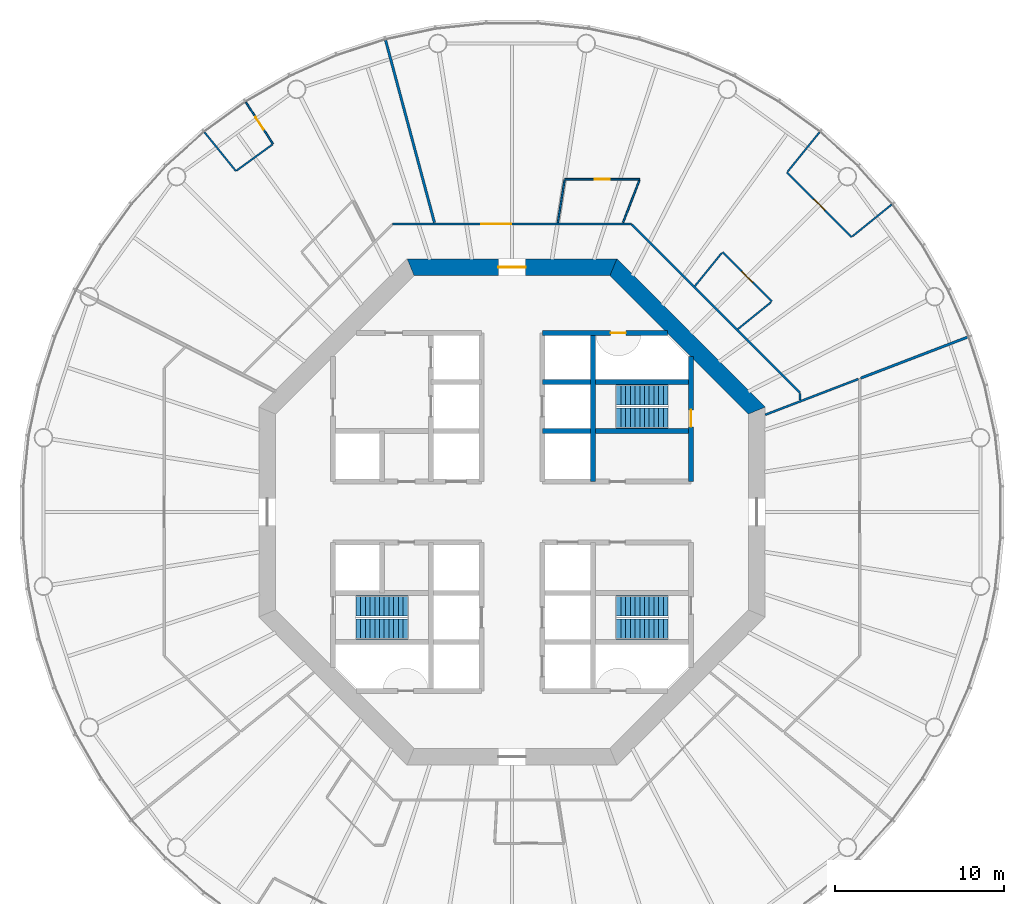
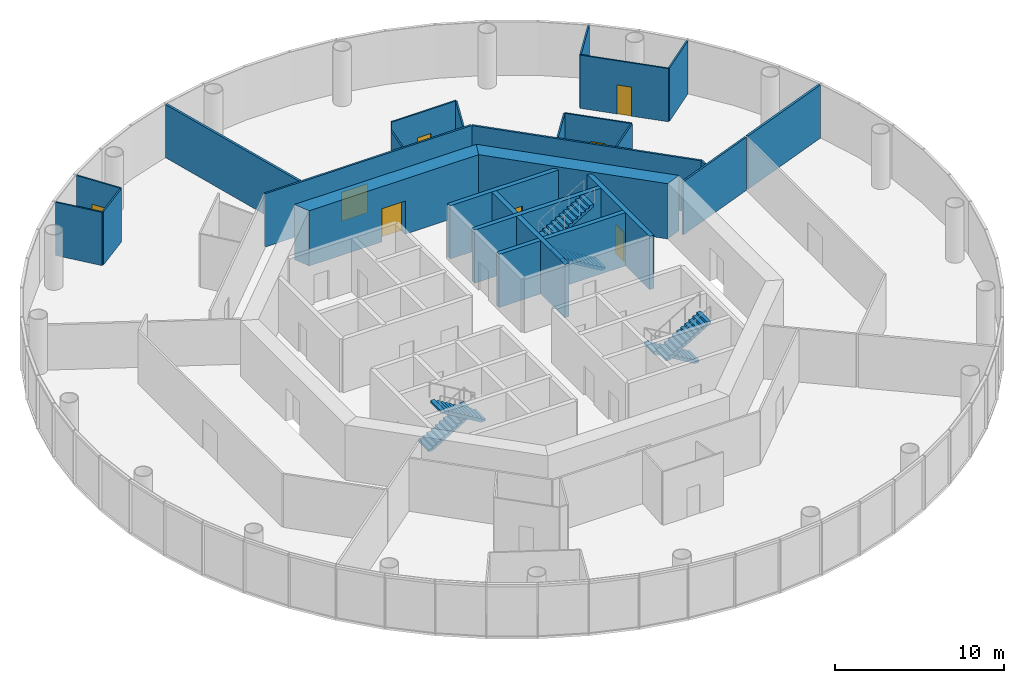
# One storey, part 5 of 12: 25 walls, 8 doors, 6 stair flights, 8 openings, 3 elements without a shape of their own.
"""IFC4 building model written with IfcOpenShell, lengths in metres."""

from ifc_helpers import new_model, si_unit, direction, frame, frame_2d, origin, place, context, subcontext, project, spatial, polyline, rectangle, outline, extrude, material, layer, layer_set, type_object, element, fill, aggregate, save


model = new_model("IFC4")

# Units and contexts
model_context = context("Model", 3, precision=1e-05, world=origin(), true_north=direction((0.0, 1.0)))
body_context = subcontext(model_context, "Body", "Model", "MODEL_VIEW")
ifc_project = project(units=[si_unit("LENGTHUNIT", "METRE"), si_unit("AREAUNIT", "SQUARE_METRE"), si_unit("VOLUMEUNIT", "CUBIC_METRE"), si_unit("PLANEANGLEUNIT", "RADIAN"), si_unit("MASSUNIT", "GRAM", prefix="KILO")], contexts=[model_context])

# Site, building, storey
site_placement = place(None, origin())
site = spatial("IfcSite", under=ifc_project, at=site_placement, CompositionType="ELEMENT")
building_placement = place(site_placement, origin())
building = spatial("IfcBuilding", under=site, at=building_placement, Name="Entoto Ring Tower", CompositionType="ELEMENT")
storey_placement = place(building_placement, frame((0.0, 0.0, 192.0)))
storey = spatial("IfcBuildingStorey", under=building, at=storey_placement, Name="L44", CompositionType="ELEMENT", Elevation=192.0)

# Wall, opening, door
ifc_material_1 = material(Name="Concrete C40/50", Category="concrete")
ifc_layer_1 = layer(ifc_material_1, 0.300048828125)
ifc_layer_set_1 = layer_set([ifc_layer_1], Name="Concrete C40/50")
wall_type_1 = type_object("IfcWallType", Name="Core enclosure wall 300 mm reinforced concrete", PredefinedType="SOLIDWALL", material=ifc_layer_set_1)
wall_1_placement = place(storey_placement, frame((100.60009765625, 81.800048828125, 0.0), z_axis=(0.0, 0.0, 1.0), x_axis=(0.0, 1.0, 0.0)))
wall_1 = element("IfcWall", 1, at=wall_1_placement, inside=storey, type_object=wall_type_1, Name="wall-L44-002", PredefinedType="SOLIDWALL", context=body_context, shape_type="SweptSolid", body=[
    extrude(rectangle(XDim=7.39892578125, YDim=0.300048828125, at=frame_2d((3.699462890625, 0.0))), origin(), (0.0, 0.0, 1.0), 3.85009765625),
])
opening_1_placement = place(wall_1_placement, frame((3.25, 0.0, 0.0)))
opening_1 = element("IfcOpeningElement", 2, at=opening_1_placement, cuts=wall_1, Name="Opening K-52", PredefinedType="OPENING", context=body_context, shape_type="SweptSolid", body=[
    extrude(rectangle(XDim=1.0, YDim=2.10009765625, at=frame_2d((0.5, 1.050048828125))), frame((0.0, 0.16015625, 0.0), z_axis=(0.0, -1.0, 0.0), x_axis=(1.0, 0.0, 0.0)), (0.0, 0.0, 1.0), 0.320068359375),
])
ifc_material_2 = material(Name="Steel door leaf, fire rated", Category="steel")
ifc_layer_2 = layer(ifc_material_2, 0.050048828125)
ifc_layer_set_2 = layer_set([ifc_layer_2], Name="Steel door leaf, fire rated")
door_type_1 = type_object("IfcDoorType", Name="Fire door FD60 1000 x 2100 single leaf", OperationType="NOTDEFINED", PredefinedType="DOOR", material=ifc_layer_set_2)
door_1_placement = place(opening_1_placement, origin())
door_1 = element("IfcDoor", 3, at=door_1_placement, inside=storey, type_object=door_type_1, Name="Door K-52", OperationType="SINGLE_SWING_LEFT", OverallHeight=2.10009765625, OverallWidth=1.0, PredefinedType="DOOR", context=body_context, shape_type="SweptSolid", body=[
    extrude(rectangle(XDim=1.0, YDim=2.10009765625, at=frame_2d((0.5, 1.050048828125))), frame((0.0, 0.02490234375, 0.0), z_axis=(0.0, -1.0, 0.0), x_axis=(1.0, 0.0, 0.0)), (0.0, 0.0, 1.0), 0.050048828125),
])
fill(opening_1, door_1)

# Walls
for number, where, z_axis, x_axis, name in (
    (4, (94.800048828125, 81.800048828125, 0.0), (0.0, 0.0, 1.0), (0.0, 1.0, 0.0), "wall-L44-004"),
    (5, (91.800048828125, 84.800048828125, 0.0), (0.0, 0.0, 1.0), (1.0, 0.0, 0.0), "wall-L44-026"),
    (6, (91.800048828125, 87.699951171875, 0.0), (0.0, 0.0, 1.0), (1.0, 0.0, 0.0), "wall-L44-028"),
):
    element("IfcWall", number, at=place(storey_placement, frame(where, z_axis=z_axis, x_axis=x_axis)), inside=storey, type_object=wall_type_1, Name=name, PredefinedType="SOLIDWALL", context=body_context, shape_type="SweptSolid", body=[
        extrude(rectangle(XDim=8.800048828125, YDim=0.300048828125, at=frame_2d((4.39990234375, 0.0))), origin(), (0.0, 0.0, 1.0), 3.85009765625),
    ])

# Wall, opening, door
wall_2_placement = place(storey_placement, frame((91.800048828125, 90.60009765625, 0.0), z_axis=(0.0, 0.0, 1.0), x_axis=(1.0, 0.0, 0.0)))
wall_2 = element("IfcWall", 7, at=wall_2_placement, inside=storey, type_object=wall_type_1, Name="wall-L44-030", PredefinedType="SOLIDWALL", context=body_context, shape_type="SweptSolid", body=[
    extrude(rectangle(XDim=7.39892578125, YDim=0.300048828125, at=frame_2d((3.699462890625, 0.0))), origin(), (0.0, 0.0, 1.0), 3.85009765625),
])
opening_2_placement = place(wall_2_placement, frame((4.050048828125, 0.0, 0.0)))
opening_2 = element("IfcOpeningElement", 8, at=opening_2_placement, cuts=wall_2, Name="Opening K-60", PredefinedType="OPENING", context=body_context, shape_type="SweptSolid", body=[
    extrude(rectangle(XDim=0.89990234375, YDim=2.10009765625, at=frame_2d((0.449951171875, 1.050048828125))), frame((0.0, 0.16015625, 0.0), z_axis=(0.0, -1.0, 0.0), x_axis=(1.0, 0.0, 0.0)), (0.0, 0.0, 1.0), 0.320068359375),
])
ifc_material_3 = material(Name="Steel door leaf, fire rated", Category="steel")
ifc_layer_3 = layer(ifc_material_3, 0.050048828125)
ifc_layer_set_3 = layer_set([ifc_layer_3], Name="Steel door leaf, fire rated")
door_type_2 = type_object("IfcDoorType", Name="Riser door FD60 900 x 2100 single leaf", OperationType="NOTDEFINED", PredefinedType="DOOR", material=ifc_layer_set_3)
door_2_placement = place(opening_2_placement, frame((0.89990234375, 0.0, 0.0), z_axis=(0.0, 0.0, 1.0), x_axis=(-1.0, 0.0, 0.0)))
door_2 = element("IfcDoor", 9, at=door_2_placement, inside=storey, type_object=door_type_2, Name="Door K-60", OperationType="SINGLE_SWING_RIGHT", OverallHeight=2.10009765625, OverallWidth=0.89990234375, PredefinedType="DOOR", context=body_context, shape_type="SweptSolid", body=[
    extrude(rectangle(XDim=0.89990234375, YDim=2.10009765625, at=frame_2d((0.449951171875, 1.050048828125))), frame((0.0, 0.02490234375, 0.0), z_axis=(0.0, -1.0, 0.0), x_axis=(1.0, 0.0, 0.0)), (0.0, 0.0, 1.0), 0.050048828125),
])
fill(opening_2, door_2)

# Wall
ifc_material_4 = material(Name="Concrete C50/60", Category="concrete")
ifc_layer_4 = layer(ifc_material_4, 1.0)
ifc_layer_set_4 = layer_set([ifc_layer_4], Name="Concrete C50/60")
wall_type_2 = type_object("IfcWallType", Name="Core shear wall 1000 mm reinforced concrete C50/60", PredefinedType="SHEAR", material=ifc_layer_set_4)
wall_3_placement = place(storey_placement, frame((104.5, 86.006103515625, 0.0), z_axis=(0.0, 0.0, 1.0), x_axis=(-0.707106781187, 0.707106781187, 0.0)))
element("IfcWall", 10, at=wall_3_placement, inside=storey, type_object=wall_type_2, Name="wall-L44-core-1", PredefinedType="SHEAR", context=body_context, shape_type="SweptSolid", body=[
    extrude(outline(polyline([(-0.20703125, -0.5), (12.21923828125, -0.5), (11.80517578125, 0.5), (0.20703125, 0.5), (-0.20703125, -0.5)])), origin(), (0.0, 0.0, 1.0), 4.0),
])

# Wall, opening, door
wall_4_placement = place(storey_placement, frame((96.006103515625, 94.5, 0.0), z_axis=(0.0, 0.0, 1.0), x_axis=(-1.0, 0.0, 0.0)))
wall_4 = element("IfcWall", 11, at=wall_4_placement, inside=storey, type_object=wall_type_2, Name="wall-L44-core-2", PredefinedType="SHEAR", context=body_context, shape_type="SweptSolid", body=[
    extrude(outline(polyline([(-0.20703125, -0.5), (12.21923828125, -0.5), (11.80517578125, 0.5), (0.20703125, 0.5), (-0.20703125, -0.5)])), origin(), (0.0, 0.0, 1.0), 4.0),
])
opening_3_placement = place(wall_4_placement, frame((5.2060546875, 0.0, 0.0)))
opening_3 = element("IfcOpeningElement", 12, at=opening_3_placement, cuts=wall_4, Name="Opening K-02", PredefinedType="OPENING", context=body_context, shape_type="SweptSolid", body=[
    extrude(rectangle(XDim=1.60009765625, YDim=2.39990234375, at=frame_2d((0.800048828125, 1.199951171875))), frame((0.0, 0.510009765625, 0.0), z_axis=(0.0, -1.0, 0.0), x_axis=(1.0, 0.0, 0.0)), (0.0, 0.0, 1.0), 1.02001953125),
])
ifc_material_5 = material(Name="Steel door leaf, fire rated", Category="steel")
ifc_layer_5 = layer(ifc_material_5, 0.050048828125)
ifc_layer_set_5 = layer_set([ifc_layer_5], Name="Steel door leaf, fire rated")
door_type_3 = type_object("IfcDoorType", Name="Entrance door FD60 1600 x 2400 double leaf", OperationType="DOUBLE_DOOR_SINGLE_SWING", PredefinedType="DOOR", material=ifc_layer_set_5)
door_3_placement = place(opening_3_placement, origin())
door_3 = element("IfcDoor", 13, at=door_3_placement, inside=storey, type_object=door_type_3, Name="Entrance door K-02", OperationType="DOUBLE_DOOR_SINGLE_SWING", OverallHeight=2.39990234375, OverallWidth=1.60009765625, PredefinedType="DOOR", context=body_context, shape_type="SweptSolid", body=[
    extrude(rectangle(XDim=1.60009765625, YDim=2.39990234375, at=frame_2d((0.800048828125, 1.199951171875))), frame((0.0, 0.02490234375, 0.0), z_axis=(0.0, -1.0, 0.0), x_axis=(1.0, 0.0, 0.0)), (0.0, 0.0, 1.0), 0.050048828125),
])
fill(opening_3, door_3)

ifc_material_6 = material(Name="Fire-resisting plasterboard on steel studs", Category="steel")
ifc_layer_6 = layer(ifc_material_6, 0.125)
ifc_layer_set_6 = layer_set([ifc_layer_6], Name="Fire-resisting plasterboard on steel studs")
wall_type_3 = type_object("IfcWallType", Name="Corridor wall 125 mm one-hour plasterboard on steel studs", PredefinedType="PARTITIONING", material=ifc_layer_set_6)
wall_5_placement = place(storey_placement, frame((82.9326171875, 97.0625, 0.0), z_axis=(0.0, 0.0, 1.0), x_axis=(1.0, 0.0, 0.0)))
wall_5 = element("IfcWall", 14, at=wall_5_placement, inside=storey, type_object=wall_type_3, Name="partition-L44-004", PredefinedType="PARTITIONING", context=body_context, shape_type="SweptSolid", body=[
    extrude(rectangle(XDim=14.134765625, YDim=0.125, at=frame_2d((7.0673828125, 0.0))), origin(), (0.0, 0.0, 1.0), 3.85009765625),
])
opening_4_placement = place(wall_5_placement, frame((5.23291015625, 0.0, 0.0)))
opening_4 = element("IfcOpeningElement", 15, at=opening_4_placement, cuts=wall_5, Name="Opening A19-D03", PredefinedType="OPENING", context=body_context, shape_type="SweptSolid", body=[
    extrude(rectangle(XDim=1.800048828125, YDim=2.10009765625, at=frame_2d((0.89990234375, 1.050048828125))), frame((0.0, 0.072509765625, 0.0), z_axis=(0.0, -1.0, 0.0), x_axis=(1.0, 0.0, 0.0)), (0.0, 0.0, 1.0), 0.14501953125),
])
ifc_material_7 = material(Name="Fire-resisting timber door set", Category="wood")
door_type_4 = type_object("IfcDoorType", Name="Door 1800 x 2100 double leaf FD30S fire door", OperationType="DOUBLE_DOOR_SINGLE_SWING", PredefinedType="DOOR", material=ifc_material_7)
door_4_placement = place(opening_4_placement, origin())
door_4 = element("IfcDoor", 16, at=door_4_placement, inside=storey, type_object=door_type_4, Name="Door A19-D03", OperationType="DOUBLE_DOOR_SINGLE_SWING", OverallHeight=2.10009765625, OverallWidth=1.800048828125, PredefinedType="DOOR", context=body_context, shape_type="SweptSolid", body=[
    extrude(rectangle(XDim=1.800048828125, YDim=2.10009765625, at=frame_2d((0.89990234375, 1.050048828125))), frame((0.0, 0.02490234375, 0.0), z_axis=(0.0, -1.0, 0.0), x_axis=(1.0, 0.0, 0.0)), (0.0, 0.0, 1.0), 0.050048828125),
])
fill(opening_4, door_4)

# Walls
wall_6_placement = place(storey_placement, frame((107.0625, 87.0673828125, 0.0), z_axis=(0.0, 0.0, 1.0), x_axis=(-0.707098118263, 0.707115444004, 0.0)))
element("IfcWall", 17, at=wall_6_placement, inside=storey, type_object=wall_type_3, Name="partition-L44-005", PredefinedType="PARTITIONING", context=body_context, shape_type="SweptSolid", body=[
    extrude(rectangle(XDim=14.09130859375, YDim=0.125, at=frame_2d((7.045654296875, 0.0))), origin(), (0.0, 0.0, 1.0), 3.85009765625),
])
wall_7_placement = place(storey_placement, frame((105.0, 85.758056640625, 0.0), z_axis=(0.0, 0.0, 1.0), x_axis=(0.933592488158, 0.358336526264, 0.0)))
element("IfcWall", 18, at=wall_7_placement, inside=storey, type_object=wall_type_3, Name="partition-L44-011", PredefinedType="PARTITIONING", context=body_context, shape_type="SweptSolid", body=[
    extrude(rectangle(XDim=5.90771484375, YDim=0.125, at=frame_2d((2.953857421875, 0.0))), origin(), (0.0, 0.0, 1.0), 3.85009765625),
])
wall_8_placement = place(storey_placement, frame((107.0625, 86.640380859375, 0.0), z_axis=(0.0, 0.0, 1.0), x_axis=(0.0, 1.0, 0.0)))
element("IfcWall", 19, at=wall_8_placement, inside=storey, type_object=wall_type_3, Name="partition-L44-016", PredefinedType="PARTITIONING", context=body_context, shape_type="SweptSolid", body=[
    extrude(rectangle(XDim=0.383056640625, YDim=0.125, at=frame_2d((0.19140625, 0.0))), origin(), (0.0, 0.0, 1.0), 3.85009765625),
])

# Wall, opening, door
ifc_material_8 = material(Name="Plasterboard on steel studs", Category="steel")
ifc_layer_7 = layer(ifc_material_8, 0.10009765625)
ifc_layer_set_7 = layer_set([ifc_layer_7], Name="Plasterboard on steel studs")
wall_type_4 = type_object("IfcWallType", Name="Partition 100 mm plasterboard on steel studs", PredefinedType="PARTITIONING", material=ifc_layer_set_7)
wall_9_placement = place(storey_placement, frame((110.120361328125, 96.293212890625, 0.0), z_axis=(0.0, 0.0, 1.0), x_axis=(-0.707106781187, 0.707106781187, 0.0)))
wall_9 = element("IfcWall", 20, at=wall_9_placement, inside=storey, type_object=wall_type_4, Name="partition-L44-022", PredefinedType="PARTITIONING", context=body_context, shape_type="SweptSolid", body=[
    extrude(rectangle(XDim=5.412353515625, YDim=0.10009765625, at=frame_2d((2.7060546875, 0.0))), origin(), (0.0, 0.0, 1.0), 3.85009765625),
])
opening_5_placement = place(wall_9_placement, frame((2.256103515625, 0.0, 0.0)))
opening_5 = element("IfcOpeningElement", 21, at=opening_5_placement, cuts=wall_9, Name="Opening A19-D06", PredefinedType="OPENING", context=body_context, shape_type="SweptSolid", body=[
    extrude(rectangle(XDim=0.89990234375, YDim=2.10009765625, at=frame_2d((0.449951171875, 1.050048828125))), frame((0.0, 0.06005859375, 0.0), z_axis=(0.0, -1.0, 0.0), x_axis=(1.0, 0.0, 0.0)), (0.0, 0.0, 1.0), 0.1201171875),
])
ifc_material_9 = material(Name="Veneered timber door leaf in timber frame", Category="wood")
door_type_5 = type_object("IfcDoorType", Name="Door 900 x 2100 single leaf timber veneer", OperationType="NOTDEFINED", PredefinedType="DOOR", material=ifc_material_9)
door_5_placement = place(opening_5_placement, frame((0.89990234375, 0.0, 0.0), z_axis=(0.0, 0.0, 1.0), x_axis=(-1.0, 0.0, 0.0)))
door_5 = element("IfcDoor", 22, at=door_5_placement, inside=storey, type_object=door_type_5, Name="Door A19-D06", OperationType="SINGLE_SWING_RIGHT", OverallHeight=2.10009765625, OverallWidth=0.89990234375, PredefinedType="DOOR", context=body_context, shape_type="SweptSolid", body=[
    extrude(rectangle(XDim=0.89990234375, YDim=2.10009765625, at=frame_2d((0.449951171875, 1.050048828125))), frame((0.0, 0.02490234375, 0.0), z_axis=(0.0, -1.0, 0.0), x_axis=(1.0, 0.0, 0.0)), (0.0, 0.0, 1.0), 0.050048828125),
])
fill(opening_5, door_5)

wall_10_placement = place(storey_placement, frame((93.122314453125, 99.71240234375, 0.0), z_axis=(0.0, 0.0, 1.0), x_axis=(1.0, 0.0, 0.0)))
wall_10 = element("IfcWall", 23, at=wall_10_placement, inside=storey, type_object=wall_type_4, Name="partition-L44-024", PredefinedType="PARTITIONING", context=body_context, shape_type="SweptSolid", body=[
    extrude(rectangle(XDim=4.444580078125, YDim=0.10009765625, at=frame_2d((2.22216796875, 0.0))), origin(), (0.0, 0.0, 1.0), 3.85009765625),
])
opening_6_placement = place(wall_10_placement, frame((1.7724609375, 0.0, 0.0)))
opening_6 = element("IfcOpeningElement", 24, at=opening_6_placement, cuts=wall_10, Name="Opening A19-D05", PredefinedType="OPENING", context=body_context, shape_type="SweptSolid", body=[
    extrude(rectangle(XDim=0.89990234375, YDim=2.10009765625, at=frame_2d((0.449951171875, 1.050048828125))), frame((0.0, 0.06005859375, 0.0), z_axis=(0.0, -1.0, 0.0), x_axis=(1.0, 0.0, 0.0)), (0.0, 0.0, 1.0), 0.1201171875),
])
door_6_placement = place(opening_6_placement, frame((0.89990234375, 0.0, 0.0), z_axis=(0.0, 0.0, 1.0), x_axis=(-1.0, 0.0, 0.0)))
door_6 = element("IfcDoor", 25, at=door_6_placement, inside=storey, type_object=door_type_5, Name="Door A19-D05", OperationType="SINGLE_SWING_LEFT", OverallHeight=2.10009765625, OverallWidth=0.89990234375, PredefinedType="DOOR", context=body_context, shape_type="SweptSolid", body=[
    extrude(rectangle(XDim=0.89990234375, YDim=2.10009765625, at=frame_2d((0.449951171875, 1.050048828125))), frame((0.0, 0.02490234375, 0.0), z_axis=(0.0, -1.0, 0.0), x_axis=(1.0, 0.0, 0.0)), (0.0, 0.0, 1.0), 0.050048828125),
])
fill(opening_6, door_6)

wall_11_placement = place(storey_placement, frame((105.39599609375, 92.467529296875, 0.0), z_axis=(0.0, 0.0, 1.0), x_axis=(-0.707106781187, 0.707106781187, 0.0)))
wall_11 = element("IfcWall", 26, at=wall_11_placement, inside=storey, type_object=wall_type_4, Name="partition-L44-026", PredefinedType="PARTITIONING", context=body_context, shape_type="SweptSolid", body=[
    extrude(rectangle(XDim=4.141357421875, YDim=0.10009765625, at=frame_2d((2.07080078125, 0.0))), origin(), (0.0, 0.0, 1.0), 3.85009765625),
])
opening_7_placement = place(wall_11_placement, frame((1.620849609375, 0.0, 0.0)))
opening_7 = element("IfcOpeningElement", 27, at=opening_7_placement, cuts=wall_11, Name="Opening A19-D04", PredefinedType="OPENING", context=body_context, shape_type="SweptSolid", body=[
    extrude(rectangle(XDim=0.89990234375, YDim=2.10009765625, at=frame_2d((0.449951171875, 1.050048828125))), frame((0.0, 0.06005859375, 0.0), z_axis=(0.0, -1.0, 0.0), x_axis=(1.0, 0.0, 0.0)), (0.0, 0.0, 1.0), 0.1201171875),
])
door_7_placement = place(opening_7_placement, origin())
door_7 = element("IfcDoor", 28, at=door_7_placement, inside=storey, type_object=door_type_5, Name="Door A19-D04", OperationType="SINGLE_SWING_LEFT", OverallHeight=2.10009765625, OverallWidth=0.89990234375, PredefinedType="DOOR", context=body_context, shape_type="SweptSolid", body=[
    extrude(rectangle(XDim=0.89990234375, YDim=2.10009765625, at=frame_2d((0.449951171875, 1.050048828125))), frame((0.0, 0.02490234375, 0.0), z_axis=(0.0, -1.0, 0.0), x_axis=(1.0, 0.0, 0.0)), (0.0, 0.0, 1.0), 0.050048828125),
])
fill(opening_7, door_7)

# Walls
for number, where, z_axis, x_axis, name in (
    (29, (106.324462890625, 100.158935546875, 0.0), (0.0, 0.0, 1.0), (0.629298887312, 0.777163374348, 0.0), "partition-L44-031"),
    (30, (110.158935546875, 96.324462890625, 0.0), (0.0, 0.0, 1.0), (0.777163374348, 0.629298887312, 0.0), "partition-L44-032"),
):
    element("IfcWall", number, at=place(storey_placement, frame(where, z_axis=z_axis, x_axis=x_axis)), inside=storey, type_object=wall_type_4, Name=name, PredefinedType="PARTITIONING", context=body_context, shape_type="SweptSolid", body=[
        extrude(rectangle(XDim=3.0, YDim=0.10009765625, at=frame_2d((1.5, 0.0))), origin(), (0.0, 0.0, 1.0), 3.85009765625),
    ])

# Wall, opening, door
wall_12_placement = place(storey_placement, frame((75.8447265625, 101.797119140625, 0.0), z_axis=(0.0, 0.0, 1.0), x_axis=(-0.544671218541, 0.838649666841, 0.0)))
wall_12 = element("IfcWall", 31, at=wall_12_placement, inside=storey, type_object=wall_type_4, Name="partition-L44-033", PredefinedType="PARTITIONING", context=body_context, shape_type="SweptSolid", body=[
    extrude(rectangle(XDim=2.949951171875, YDim=0.10009765625, at=frame_2d((1.47509765625, 0.0))), origin(), (0.0, 0.0, 1.0), 3.85009765625),
])
opening_8_placement = place(wall_12_placement, frame((1.02490234375, 0.0, 0.0)))
opening_8 = element("IfcOpeningElement", 32, at=opening_8_placement, cuts=wall_12, Name="Opening A19-D09", PredefinedType="OPENING", context=body_context, shape_type="SweptSolid", body=[
    extrude(rectangle(XDim=0.89990234375, YDim=2.10009765625, at=frame_2d((0.449951171875, 1.050048828125))), frame((0.0, 0.06005859375, 0.0), z_axis=(0.0, -1.0, 0.0), x_axis=(1.0, 0.0, 0.0)), (0.0, 0.0, 1.0), 0.1201171875),
])
door_8_placement = place(opening_8_placement, origin())
door_8 = element("IfcDoor", 33, at=door_8_placement, inside=storey, type_object=door_type_5, Name="Door A19-D09", OperationType="SINGLE_SWING_RIGHT", OverallHeight=2.10009765625, OverallWidth=0.89990234375, PredefinedType="DOOR", context=body_context, shape_type="SweptSolid", body=[
    extrude(rectangle(XDim=0.89990234375, YDim=2.10009765625, at=frame_2d((0.449951171875, 1.050048828125))), frame((0.0, 0.02490234375, 0.0), z_axis=(0.0, -1.0, 0.0), x_axis=(1.0, 0.0, 0.0)), (0.0, 0.0, 1.0), 0.050048828125),
])
fill(opening_8, door_8)

# Walls
wall_13_placement = place(storey_placement, frame((73.64404296875, 100.197998046875, 0.0), z_axis=(0.0, 0.0, 1.0), x_axis=(-0.629326785519, 0.777140783275, 0.0)))
element("IfcWall", 34, at=wall_13_placement, inside=storey, type_object=wall_type_4, Name="partition-L44-034", PredefinedType="PARTITIONING", context=body_context, shape_type="SweptSolid", body=[
    extrude(rectangle(XDim=2.949951171875, YDim=0.10009765625, at=frame_2d((1.47509765625, 0.0))), origin(), (0.0, 0.0, 1.0), 3.85009765625),
])
wall_14_placement = place(storey_placement, frame((96.58056640625, 97.142822265625, 0.0), z_axis=(0.0, 0.0, 1.0), x_axis=(0.358380762009, 0.933575508152, 0.0)))
element("IfcWall", 35, at=wall_14_placement, inside=storey, type_object=wall_type_4, Name="partition-L44-036", PredefinedType="PARTITIONING", context=body_context, shape_type="SweptSolid", body=[
    extrude(rectangle(XDim=2.679931640625, YDim=0.10009765625, at=frame_2d((1.33984375, 0.0))), origin(), (0.0, 0.0, 1.0), 3.85009765625),
])
wall_15_placement = place(storey_placement, frame((73.684326171875, 100.227294921875, 0.0), z_axis=(0.0, 0.0, 1.0), x_axis=(0.809030077075, 0.587767245079, 0.0)))
element("IfcWall", 36, at=wall_15_placement, inside=storey, type_object=wall_type_4, Name="partition-L44-039", PredefinedType="PARTITIONING", context=body_context, shape_type="SweptSolid", body=[
    extrude(rectangle(XDim=2.62060546875, YDim=0.10009765625, at=frame_2d((1.310302734375, 0.0))), origin(), (0.0, 0.0, 1.0), 3.85009765625),
])
for number, where, z_axis, x_axis, name in (
    (37, (100.83984375, 93.385986328125, 0.0), (0.0, 0.0, 1.0), (0.629342520007, 0.777128041259, 0.0), "partition-L44-042"),
    (38, (103.385986328125, 90.83984375, 0.0), (0.0, 0.0, 1.0), (0.777128041259, 0.629342520007, 0.0), "partition-L44-043"),
):
    element("IfcWall", number, at=place(storey_placement, frame(where, z_axis=z_axis, x_axis=x_axis)), inside=storey, type_object=wall_type_4, Name=name, PredefinedType="PARTITIONING", context=body_context, shape_type="SweptSolid", body=[
        extrude(rectangle(XDim=2.53076171875, YDim=0.10009765625, at=frame_2d((1.265380859375, 0.0))), origin(), (0.0, 0.0, 1.0), 3.85009765625),
    ])
ifc_material_10 = material(Name="Plasterboard on steel studs", Category="steel")
ifc_layer_8 = layer(ifc_material_10, 0.10009765625)
ifc_layer_set_8 = layer_set([ifc_layer_8], Name="Plasterboard on steel studs")
wall_type_5 = type_object("IfcWallType", Name="Partition 100 mm plasterboard on steel studs, 3250 mm high", PredefinedType="PARTITIONING", material=ifc_layer_set_8)
wall_16_placement = place(storey_placement, frame((92.713623046875, 97.1328125, 0.0), z_axis=(0.0, 0.0, 1.0), x_axis=(0.156437114518, 0.987687920955, 0.0)))
element("IfcWall", 39, at=wall_16_placement, inside=storey, type_object=wall_type_5, Name="partition-L44-040", PredefinedType="PARTITIONING", context=body_context, shape_type="SweptSolid", body=[
    extrude(rectangle(XDim=2.5625, YDim=0.10009765625, at=frame_2d((1.28125, 0.0))), origin(), (0.0, 0.0, 1.0), 3.25),
])
ifc_material_11 = material(Name="Fire-resisting acoustic plasterboard on steel studs", Category="steel")
ifc_layer_9 = layer(ifc_material_11, 0.14990234375)
ifc_layer_set_9 = layer_set([ifc_layer_9], Name="Fire-resisting acoustic plasterboard on steel studs")
wall_type_6 = type_object("IfcWallType", Name="Party wall 150 mm one-hour acoustic plasterboard on steel studs", PredefinedType="PARTITIONING", material=ifc_layer_set_9)
wall_17_placement = place(storey_placement, frame((85.40625, 97.144287109375, 0.0), z_axis=(0.0, 0.0, 1.0), x_axis=(-0.258824776052, 0.965924290668, 0.0)))
element("IfcWall", 40, at=wall_17_placement, inside=storey, type_object=wall_type_6, Name="partition-L44-017", PredefinedType="PARTITIONING", context=body_context, shape_type="SweptSolid", body=[
    extrude(rectangle(XDim=11.19091796875, YDim=0.14990234375, at=frame_2d((5.595458984375, 0.0))), origin(), (0.0, 0.0, 1.0), 3.85009765625),
])
wall_18_placement = place(storey_placement, frame((110.654296875, 87.928466796875, 0.0), z_axis=(0.0, 0.0, 1.0), x_axis=(0.933585412346, 0.358354960695, 0.0)))
element("IfcWall", 41, at=wall_18_placement, inside=storey, type_object=wall_type_6, Name="partition-L44-021", PredefinedType="PARTITIONING", context=body_context, shape_type="SweptSolid", body=[
    extrude(rectangle(XDim=6.816162109375, YDim=0.14990234375, at=frame_2d((3.408203125, 0.0))), origin(), (0.0, 0.0, 1.0), 3.85009765625),
])

# Stair, stair flights
ifc_material_12 = material(Name="Concrete C40/50", Category="concrete")
stair_type = type_object("IfcStairType", Name="Exit stair 1200 mm dog-leg reinforced concrete", PredefinedType="HALF_TURN_STAIR", material=ifc_material_12)
stair_1_placement = place(storey_placement, origin())
stair_1 = element("IfcStair", 42, at=stair_1_placement, inside=storey, type_object=stair_type, Name="Exit stair 1", PredefinedType="HALF_TURN_STAIR")
ifc_material_13 = material(Name="Concrete C40/50", Category="concrete")
stair_flight_type = type_object("IfcStairFlightType", Name="Stair flight 1200 mm reinforced concrete", PredefinedType="STRAIGHT", material=ifc_material_13)
stair_flight_1_placement = place(storey_placement, frame((99.25, 85.550048828125, 0.0), z_axis=(0.0, 0.0, 1.0), x_axis=(-1.0, 0.0, 0.0)))
stair_flight_1 = element("IfcStairFlight", 43, at=stair_flight_1_placement, type_object=stair_flight_type, Name="ST1 flight 1", NumberOfRisers=12, NumberOfTreads=11, PredefinedType="STRAIGHT", RiserHeight=0.166666667, TreadLength=0.28, context=body_context, shape_type="SweptSolid", body=[
    extrude(outline(polyline([(0.0, 0.0), (0.0, 0.166748046875), (0.280029296875, 0.166748046875), (0.280029296875, 0.333251953125), (0.56005859375, 0.333251953125), (0.56005859375, 0.5), (0.840087890625, 0.5), (0.840087890625, 0.666748046875), (1.1201171875, 0.666748046875), (1.1201171875, 0.833251953125), (1.39990234375, 0.833251953125), (1.39990234375, 1.0), (1.679931640625, 1.0), (1.679931640625, 1.166748046875), (1.9599609375, 1.166748046875), (1.9599609375, 1.333251953125), (2.239990234375, 1.333251953125), (2.239990234375, 1.5), (2.52001953125, 1.5), (2.52001953125, 1.666748046875), (2.800048828125, 1.666748046875), (2.800048828125, 1.833251953125), (3.080078125, 1.833251953125), (3.080078125, 2.0), (3.080078125, 1.658935546875), (0.29296875, 0.0), (0.0, 0.0)])), frame((0.0, 0.60009765625, 0.0), z_axis=(0.0, -1.0, 0.0), x_axis=(1.0, 0.0, 0.0)), (0.0, 0.0, 1.0), 1.199951171875),
])
stair_flight_2_placement = place(storey_placement, frame((96.169921875, 86.949951171875, 2.0), z_axis=(0.0, 0.0, 1.0), x_axis=(1.0, 0.0, 0.0)))
stair_flight_2 = element("IfcStairFlight", 44, at=stair_flight_2_placement, type_object=stair_flight_type, Name="ST1 flight 2", NumberOfRisers=12, NumberOfTreads=11, PredefinedType="STRAIGHT", RiserHeight=0.166666667, TreadLength=0.28, context=body_context, shape_type="SweptSolid", body=[
    extrude(outline(polyline([(0.0, 0.0), (0.0, 0.166748046875), (0.280029296875, 0.166748046875), (0.280029296875, 0.333251953125), (0.56005859375, 0.333251953125), (0.56005859375, 0.5), (0.840087890625, 0.5), (0.840087890625, 0.666748046875), (1.1201171875, 0.666748046875), (1.1201171875, 0.833251953125), (1.39990234375, 0.833251953125), (1.39990234375, 1.0), (1.679931640625, 1.0), (1.679931640625, 1.166748046875), (1.9599609375, 1.166748046875), (1.9599609375, 1.333251953125), (2.239990234375, 1.333251953125), (2.239990234375, 1.5), (2.52001953125, 1.5), (2.52001953125, 1.666748046875), (2.800048828125, 1.666748046875), (2.800048828125, 1.833251953125), (3.080078125, 1.833251953125), (3.080078125, 2.0), (3.080078125, 1.658935546875), (0.29296875, 0.0), (0.0, 0.0)])), frame((0.0, 0.60009765625, 0.0), z_axis=(0.0, -1.0, 0.0), x_axis=(1.0, 0.0, 0.0)), (0.0, 0.0, 1.0), 1.199951171875),
])
aggregate(stair_1, [stair_flight_1, stair_flight_2])

stair_2_placement = place(storey_placement, origin())
stair_2 = element("IfcStair", 45, at=stair_2_placement, inside=storey, type_object=stair_type, Name="Exit stair 2", PredefinedType="HALF_TURN_STAIR")
stair_flight_3_placement = place(storey_placement, frame((80.75, 74.449951171875, 0.0), z_axis=(0.0, 0.0, 1.0), x_axis=(1.0, 0.0, 0.0)))
stair_flight_3 = element("IfcStairFlight", 46, at=stair_flight_3_placement, type_object=stair_flight_type, Name="ST2 flight 1", NumberOfRisers=12, NumberOfTreads=11, PredefinedType="STRAIGHT", RiserHeight=0.166666667, TreadLength=0.28, context=body_context, shape_type="SweptSolid", body=[
    extrude(outline(polyline([(0.0, 0.0), (0.0, 0.166748046875), (0.280029296875, 0.166748046875), (0.280029296875, 0.333251953125), (0.56005859375, 0.333251953125), (0.56005859375, 0.5), (0.840087890625, 0.5), (0.840087890625, 0.666748046875), (1.1201171875, 0.666748046875), (1.1201171875, 0.833251953125), (1.39990234375, 0.833251953125), (1.39990234375, 1.0), (1.679931640625, 1.0), (1.679931640625, 1.166748046875), (1.9599609375, 1.166748046875), (1.9599609375, 1.333251953125), (2.239990234375, 1.333251953125), (2.239990234375, 1.5), (2.52001953125, 1.5), (2.52001953125, 1.666748046875), (2.800048828125, 1.666748046875), (2.800048828125, 1.833251953125), (3.080078125, 1.833251953125), (3.080078125, 2.0), (3.080078125, 1.658935546875), (0.29296875, 0.0), (0.0, 0.0)])), frame((0.0, 0.60009765625, 0.0), z_axis=(0.0, -1.0, 0.0), x_axis=(1.0, 0.0, 0.0)), (0.0, 0.0, 1.0), 1.199951171875),
])
stair_flight_4_placement = place(storey_placement, frame((83.830078125, 73.050048828125, 2.0), z_axis=(0.0, 0.0, 1.0), x_axis=(-1.0, 0.0, 0.0)))
stair_flight_4 = element("IfcStairFlight", 47, at=stair_flight_4_placement, type_object=stair_flight_type, Name="ST2 flight 2", NumberOfRisers=12, NumberOfTreads=11, PredefinedType="STRAIGHT", RiserHeight=0.166666667, TreadLength=0.28, context=body_context, shape_type="SweptSolid", body=[
    extrude(outline(polyline([(0.0, 0.0), (0.0, 0.166748046875), (0.280029296875, 0.166748046875), (0.280029296875, 0.333251953125), (0.56005859375, 0.333251953125), (0.56005859375, 0.5), (0.840087890625, 0.5), (0.840087890625, 0.666748046875), (1.1201171875, 0.666748046875), (1.1201171875, 0.833251953125), (1.39990234375, 0.833251953125), (1.39990234375, 1.0), (1.679931640625, 1.0), (1.679931640625, 1.166748046875), (1.9599609375, 1.166748046875), (1.9599609375, 1.333251953125), (2.239990234375, 1.333251953125), (2.239990234375, 1.5), (2.52001953125, 1.5), (2.52001953125, 1.666748046875), (2.800048828125, 1.666748046875), (2.800048828125, 1.833251953125), (3.080078125, 1.833251953125), (3.080078125, 2.0), (3.080078125, 1.658935546875), (0.29296875, 0.0), (0.0, 0.0)])), frame((0.0, 0.60009765625, 0.0), z_axis=(0.0, -1.0, 0.0), x_axis=(1.0, 0.0, 0.0)), (0.0, 0.0, 1.0), 1.199951171875),
])
aggregate(stair_2, [stair_flight_3, stair_flight_4])

stair_3_placement = place(storey_placement, origin())
stair_3 = element("IfcStair", 48, at=stair_3_placement, inside=storey, type_object=stair_type, Name="Exit stair 3", PredefinedType="HALF_TURN_STAIR")
stair_flight_5_placement = place(storey_placement, frame((99.25, 74.449951171875, 0.0), z_axis=(0.0, 0.0, 1.0), x_axis=(-1.0, 0.0, 0.0)))
stair_flight_5 = element("IfcStairFlight", 49, at=stair_flight_5_placement, type_object=stair_flight_type, Name="ST3 flight 1", NumberOfRisers=12, NumberOfTreads=11, PredefinedType="STRAIGHT", RiserHeight=0.166666667, TreadLength=0.28, context=body_context, shape_type="SweptSolid", body=[
    extrude(outline(polyline([(0.0, 0.0), (0.0, 0.166748046875), (0.280029296875, 0.166748046875), (0.280029296875, 0.333251953125), (0.56005859375, 0.333251953125), (0.56005859375, 0.5), (0.840087890625, 0.5), (0.840087890625, 0.666748046875), (1.1201171875, 0.666748046875), (1.1201171875, 0.833251953125), (1.39990234375, 0.833251953125), (1.39990234375, 1.0), (1.679931640625, 1.0), (1.679931640625, 1.166748046875), (1.9599609375, 1.166748046875), (1.9599609375, 1.333251953125), (2.239990234375, 1.333251953125), (2.239990234375, 1.5), (2.52001953125, 1.5), (2.52001953125, 1.666748046875), (2.800048828125, 1.666748046875), (2.800048828125, 1.833251953125), (3.080078125, 1.833251953125), (3.080078125, 2.0), (3.080078125, 1.658935546875), (0.29296875, 0.0), (0.0, 0.0)])), frame((0.0, 0.60009765625, 0.0), z_axis=(0.0, -1.0, 0.0), x_axis=(1.0, 0.0, 0.0)), (0.0, 0.0, 1.0), 1.199951171875),
])
stair_flight_6_placement = place(storey_placement, frame((96.169921875, 73.050048828125, 2.0), z_axis=(0.0, 0.0, 1.0), x_axis=(1.0, 0.0, 0.0)))
stair_flight_6 = element("IfcStairFlight", 50, at=stair_flight_6_placement, type_object=stair_flight_type, Name="ST3 flight 2", NumberOfRisers=12, NumberOfTreads=11, PredefinedType="STRAIGHT", RiserHeight=0.166666667, TreadLength=0.28, context=body_context, shape_type="SweptSolid", body=[
    extrude(outline(polyline([(0.0, 0.0), (0.0, 0.166748046875), (0.280029296875, 0.166748046875), (0.280029296875, 0.333251953125), (0.56005859375, 0.333251953125), (0.56005859375, 0.5), (0.840087890625, 0.5), (0.840087890625, 0.666748046875), (1.1201171875, 0.666748046875), (1.1201171875, 0.833251953125), (1.39990234375, 0.833251953125), (1.39990234375, 1.0), (1.679931640625, 1.0), (1.679931640625, 1.166748046875), (1.9599609375, 1.166748046875), (1.9599609375, 1.333251953125), (2.239990234375, 1.333251953125), (2.239990234375, 1.5), (2.52001953125, 1.5), (2.52001953125, 1.666748046875), (2.800048828125, 1.666748046875), (2.800048828125, 1.833251953125), (3.080078125, 1.833251953125), (3.080078125, 2.0), (3.080078125, 1.658935546875), (0.29296875, 0.0), (0.0, 0.0)])), frame((0.0, 0.60009765625, 0.0), z_axis=(0.0, -1.0, 0.0), x_axis=(1.0, 0.0, 0.0)), (0.0, 0.0, 1.0), 1.199951171875),
])
aggregate(stair_3, [stair_flight_5, stair_flight_6])

save(model, "model.ifc")
